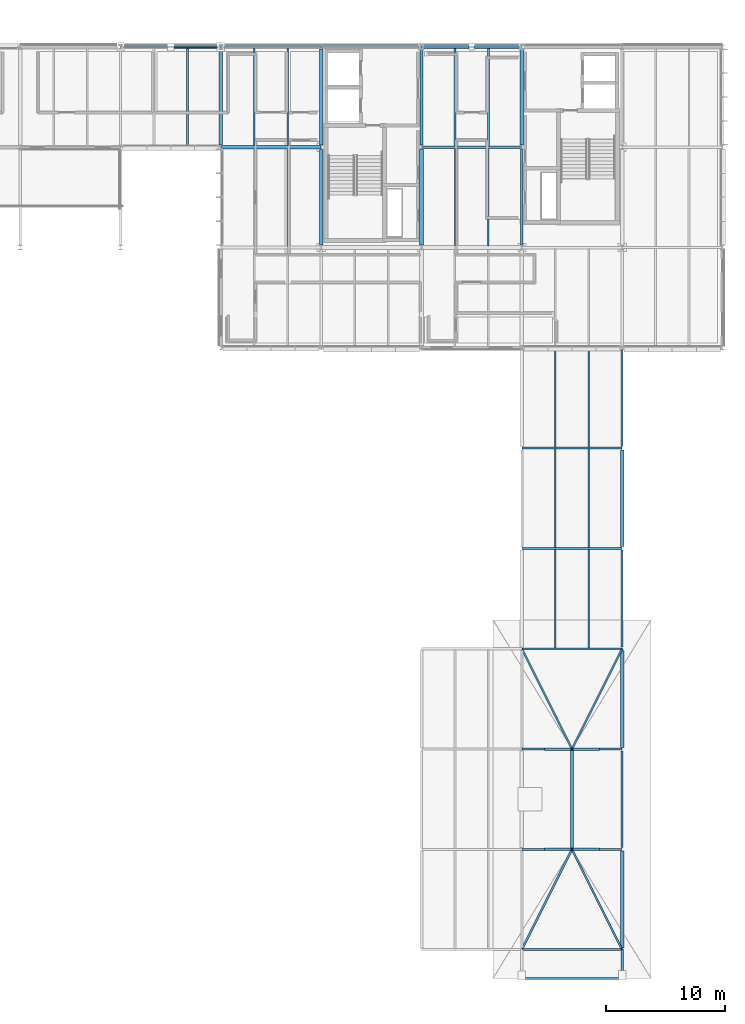
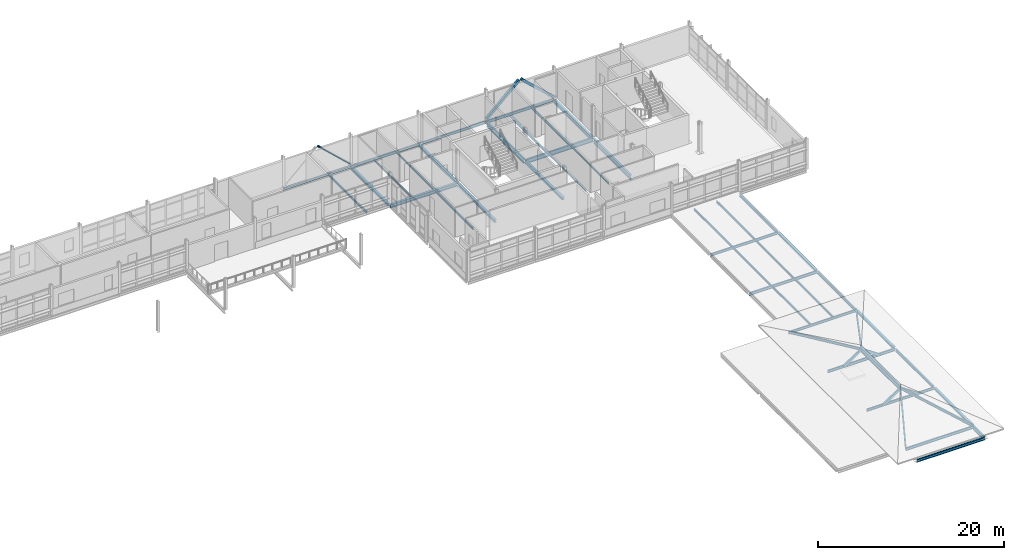
# One storey, part 34 of 57: 42 beams, 11 members.
"""IFC4 building model written with IfcOpenShell, lengths in metres."""

from ifc_helpers import new_model, si_unit, direction, frame, origin, origin_2d, place, context, subcontext, project, spatial, hollow_rectangle, hollow_circle, i_section, extrude, material, material_profile, profile_set, type_object, element, save


model = new_model("IFC4")

# Units and contexts
model_context = context("Model", 3, precision=1e-05, world=origin(), true_north=direction((0.0, 1.0)))
body_context = subcontext(model_context, "Body", "Model", "MODEL_VIEW")
ifc_project = project(units=[si_unit("LENGTHUNIT", "METRE"), si_unit("AREAUNIT", "SQUARE_METRE"), si_unit("VOLUMEUNIT", "CUBIC_METRE"), si_unit("PLANEANGLEUNIT", "RADIAN"), si_unit("MASSUNIT", "GRAM", prefix="KILO")], contexts=[model_context])

# Site, building, storey
site_placement = place(None, origin())
site = spatial("IfcSite", under=ifc_project, at=site_placement, CompositionType="ELEMENT")
building_placement = place(site_placement, origin())
building = spatial("IfcBuilding", under=site, at=building_placement, Name="Mersafa Astral City Hall", CompositionType="ELEMENT")
storey_placement = place(building_placement, frame((0.0, 0.0, 26.10009765625)))
storey = spatial("IfcBuildingStorey", under=building, at=storey_placement, Name="L06", CompositionType="ELEMENT", Elevation=26.10009765625)

# Beams
ifc_material = material(Name="Steel S355", Category="steel")
ifc_material_profile_1 = material_profile(ifc_material, i_section(OverallWidth=0.300048828125, OverallDepth=0.31005859375, WebThickness=0.009033203125, FlangeThickness=0.015380859375, FilletRadius=0.027099609375, at=origin_2d()), Name="HEA 320")
ifc_profile_set_1 = profile_set([ifc_material_profile_1], Name="Steel S355")
beam_type_1 = type_object("IfcBeamType", Name="STR-BM-HEA320", PredefinedType="BEAM", material=ifc_profile_set_1)
for number, where, z_axis, x_axis, name in (
    (1, (151.199951171875, 117.794921875, -0.330078125), (0.0, 1.0, 0.0), (-1.0, 0.0, 0.0), "L06 Primary girder Y 18-14"),
    (2, (159.60009765625, 109.39501953125, -0.330078125), (0.0, 1.0, 0.0), (-1.0, 0.0, 0.0), "L06 Primary girder Y 19-13"),
):
    element("IfcBeam", number, at=place(storey_placement, frame(where, z_axis=z_axis, x_axis=x_axis)), inside=storey, type_object=beam_type_1, Name=name, PredefinedType="BEAM", context=body_context, shape_type="SweptSolid", body=[
        extrude(i_section(OverallWidth=0.300048828125, OverallDepth=0.31005859375, WebThickness=0.009033203125, FlangeThickness=0.015380859375, FilletRadius=0.027099609375, at=origin_2d()), origin(), (0.0, 0.0, 1.0), 8.010009765625),
    ])
ifc_material_profile_2 = material_profile(ifc_material, i_section(OverallWidth=0.300048828125, OverallDepth=0.35009765625, WebThickness=0.010009765625, FlangeThickness=0.017578125, FilletRadius=0.027099609375, at=origin_2d()), Name="HEA 360")
ifc_profile_set_2 = profile_set([ifc_material_profile_2], Name="Steel S355")
beam_type_2 = type_object("IfcBeamType", Name="STR-BM-HEA360", PredefinedType="BEAM", material=ifc_profile_set_2)
for number, where, z_axis, x_axis, name in (
    (3, (142.800048828125, 117.794921875, -0.35009765625), (0.0, 1.0, 0.0), (-1.0, 0.0, 0.0), "L06 Primary girder Y 17-14"),
    (4, (151.199951171875, 109.39501953125, -0.35009765625), (0.0, 1.0, 0.0), (-1.0, 0.0, 0.0), "L06 Primary girder Y 18-13"),
):
    element("IfcBeam", number, at=place(storey_placement, frame(where, z_axis=z_axis, x_axis=x_axis)), inside=storey, type_object=beam_type_2, Name=name, PredefinedType="BEAM", context=body_context, shape_type="SweptSolid", body=[
        extrude(i_section(OverallWidth=0.300048828125, OverallDepth=0.35009765625, WebThickness=0.010009765625, FlangeThickness=0.017578125, FilletRadius=0.027099609375, at=origin_2d()), origin(), (0.0, 0.0, 1.0), 8.010009765625),
    ])
ifc_material_profile_3 = material_profile(ifc_material, i_section(OverallWidth=0.300048828125, OverallDepth=0.43994140625, WebThickness=0.011474609375, FlangeThickness=0.02099609375, FilletRadius=0.027099609375, at=origin_2d()), Name="HEA 450")
ifc_profile_set_3 = profile_set([ifc_material_profile_3], Name="Steel S355")
beam_type_3 = type_object("IfcBeamType", Name="STR-BM-HEA450", PredefinedType="BEAM", material=ifc_profile_set_3)
beam_1_placement = place(storey_placement, frame((142.802978515625, 117.60009765625, -0.39501953125), z_axis=(1.0, 0.0, 0.0), x_axis=(0.0, 1.0, 0.0)))
element("IfcBeam", 5, at=beam_1_placement, inside=storey, type_object=beam_type_3, Name="L06 Primary girder X 17-14", PredefinedType="BEAM", context=body_context, shape_type="SweptSolid", body=[
    extrude(i_section(OverallWidth=0.300048828125, OverallDepth=0.43994140625, WebThickness=0.011474609375, FlangeThickness=0.02099609375, FilletRadius=0.027099609375, at=origin_2d()), origin(), (0.0, 0.0, 1.0), 8.39404296875),
])
ifc_material_profile_4 = material_profile(ifc_material, i_section(OverallWidth=0.300048828125, OverallDepth=0.489990234375, WebThickness=0.011962890625, FlangeThickness=0.02294921875, FilletRadius=0.027099609375, at=origin_2d()), Name="HEA 500")
ifc_profile_set_4 = profile_set([ifc_material_profile_4], Name="Steel S355")
beam_type_4 = type_object("IfcBeamType", Name="STR-BM-HEA500", PredefinedType="BEAM", material=ifc_profile_set_4)
beam_2_placement = place(storey_placement, frame((168.0, 117.794921875, -0.420166015625), z_axis=(0.0, 1.0, 0.0), x_axis=(-1.0, 0.0, 0.0)))
element("IfcBeam", 6, at=beam_2_placement, inside=storey, type_object=beam_type_4, Name="L06 Primary girder Y 20-14", PredefinedType="BEAM", context=body_context, shape_type="SweptSolid", body=[
    extrude(i_section(OverallWidth=0.300048828125, OverallDepth=0.489990234375, WebThickness=0.011962890625, FlangeThickness=0.02294921875, FilletRadius=0.027099609375, at=origin_2d()), origin(), (0.0, 0.0, 1.0), 8.010009765625),
])
ifc_material_profile_5 = material_profile(ifc_material, i_section(OverallWidth=0.199951171875, OverallDepth=0.5, WebThickness=0.01025390625, FlangeThickness=0.01611328125, FilletRadius=0.02099609375, at=origin_2d()), Name="IPE 500")
ifc_profile_set_5 = profile_set([ifc_material_profile_5], Name="Steel S355")
beam_type_5 = type_object("IfcBeamType", Name="STR-BM-IPE500", PredefinedType="BEAM", material=ifc_profile_set_5)
beam_3_placement = place(storey_placement, frame((176.39990234375, 50.39990234375, -0.41015625), z_axis=(0.0, -1.0, 0.0), x_axis=(1.0, 0.0, 0.0)))
element("IfcBeam", 7, at=beam_3_placement, inside=storey, type_object=beam_type_5, Name="L06 Cantilevered eave beam ROOF-T4B-V5 S-21", PredefinedType="BEAM", context=body_context, shape_type="SweptSolid", body=[
    extrude(i_section(OverallWidth=0.199951171875, OverallDepth=0.5, WebThickness=0.01025390625, FlangeThickness=0.01611328125, FilletRadius=0.02099609375, at=origin_2d()), origin(), (0.0, 0.0, 1.0), 2.39990234375),
])
ifc_material_profile_6 = material_profile(ifc_material, i_section(OverallWidth=0.2099609375, OverallDepth=0.550048828125, WebThickness=0.010986328125, FlangeThickness=0.01708984375, FilletRadius=0.02392578125, at=origin_2d()), Name="IPE 550")
ifc_profile_set_6 = profile_set([ifc_material_profile_6], Name="Steel S355")
beam_type_6 = type_object("IfcBeamType", Name="STR-BM-IPE550", PredefinedType="BEAM", material=ifc_profile_set_6)
beam_4_placement = place(storey_placement, frame((159.60302734375, 117.60009765625, -0.4501953125), z_axis=(1.0, 0.0, 0.0), x_axis=(0.0, 1.0, 0.0)))
element("IfcBeam", 8, at=beam_4_placement, inside=storey, type_object=beam_type_6, Name="L06 Primary girder X 19-14", PredefinedType="BEAM", context=body_context, shape_type="SweptSolid", body=[
    extrude(i_section(OverallWidth=0.2099609375, OverallDepth=0.550048828125, WebThickness=0.010986328125, FlangeThickness=0.01708984375, FilletRadius=0.02392578125, at=origin_2d()), origin(), (0.0, 0.0, 1.0), 8.39404296875),
])
ifc_material_profile_7 = material_profile(ifc_material, i_section(OverallWidth=0.219970703125, OverallDepth=0.60009765625, WebThickness=0.011962890625, FlangeThickness=0.01904296875, FilletRadius=0.02392578125, at=origin_2d()), Name="IPE 600")
ifc_profile_set_7 = profile_set([ifc_material_profile_7], Name="Steel S355")
beam_type_7 = type_object("IfcBeamType", Name="STR-BM-IPE600", PredefinedType="BEAM", material=ifc_profile_set_7)
for number, where, z_axis, x_axis, name in (
    (9, (159.60009765625, 117.794921875, -0.47509765625), (0.0, 1.0, 0.0), (-1.0, 0.0, 0.0), "L06 Primary girder Y 19-14"),
    (10, (168.0, 109.39501953125, -0.47509765625), (0.0, 1.0, 0.0), (-1.0, 0.0, 0.0), "L06 Primary girder Y 20-13"),
):
    element("IfcBeam", number, at=place(storey_placement, frame(where, z_axis=z_axis, x_axis=x_axis)), inside=storey, type_object=beam_type_7, Name=name, PredefinedType="BEAM", context=body_context, shape_type="SweptSolid", body=[
        extrude(i_section(OverallWidth=0.219970703125, OverallDepth=0.60009765625, WebThickness=0.011962890625, FlangeThickness=0.01904296875, FilletRadius=0.02392578125, at=origin_2d()), origin(), (0.0, 0.0, 1.0), 8.010009765625),
    ])
beam_5_placement = place(storey_placement, frame((172.199951171875, 58.800048828125, 1.114501953125), z_axis=(0.0, 1.0, 0.0), x_axis=(-1.0, 0.0, 0.0)))
element("IfcBeam", 11, at=beam_5_placement, inside=storey, type_object=beam_type_7, Name="L06 Hipped roof ridge beam ROOF-T4B-V5-1", PredefinedType="BEAM", context=body_context, shape_type="SweptSolid", body=[
    extrude(i_section(OverallWidth=0.219970703125, OverallDepth=0.60009765625, WebThickness=0.011962890625, FlangeThickness=0.01904296875, FilletRadius=0.02392578125, at=origin_2d()), origin(), (0.0, 0.0, 1.0), 8.39990234375),
])
ifc_material_profile_8 = material_profile(ifc_material, i_section(OverallWidth=0.110107421875, OverallDepth=0.219970703125, WebThickness=0.005859375, FlangeThickness=0.00927734375, FilletRadius=0.011962890625, at=origin_2d()), Name="IPE 220")
ifc_profile_set_8 = profile_set([ifc_material_profile_8], Name="Steel S355")
beam_type_8 = type_object("IfcBeamType", Name="STR-BM-JOIST-IPE220", PredefinedType="JOIST", material=ifc_profile_set_8)
for number, where, z_axis, x_axis, name in (
    (12, (162.39990234375, 109.344970703125, -0.28515625), (0.0, 1.0, 0.0), (-1.0, 0.0, 0.0), "L06 Composite secondary floor joist 876"),
    (13, (165.199951171875, 109.344970703125, -0.28515625), (0.0, 1.0, 0.0), (-1.0, 0.0, 0.0), "L06 Composite secondary floor joist 877"),
):
    element("IfcBeam", number, at=place(storey_placement, frame(where, z_axis=z_axis, x_axis=x_axis)), inside=storey, type_object=beam_type_8, Name=name, PredefinedType="JOIST", context=body_context, shape_type="SweptSolid", body=[
        extrude(i_section(OverallWidth=0.110107421875, OverallDepth=0.219970703125, WebThickness=0.005859375, FlangeThickness=0.00927734375, FilletRadius=0.011962890625, at=origin_2d()), origin(), (0.0, 0.0, 1.0), 8.155029296875),
    ])
ifc_material_profile_9 = material_profile(ifc_material, i_section(OverallWidth=0.1201171875, OverallDepth=0.239990234375, WebThickness=0.006103515625, FlangeThickness=0.009765625, FilletRadius=0.014892578125, at=origin_2d()), Name="IPE 240")
ifc_profile_set_9 = profile_set([ifc_material_profile_9], Name="Steel S355")
beam_type_9 = type_object("IfcBeamType", Name="STR-BM-JOIST-IPE240", PredefinedType="JOIST", material=ifc_profile_set_9)
for number, where, z_axis, x_axis, name in (
    (14, (145.60009765625, 117.7451171875, -0.295166015625), (0.0, 1.0, 0.0), (-1.0, 0.0, 0.0), "L06 Composite secondary floor joist 870"),
    (15, (148.39990234375, 117.7451171875, -0.295166015625), (0.0, 1.0, 0.0), (-1.0, 0.0, 0.0), "L06 Composite secondary floor joist 871"),
):
    element("IfcBeam", number, at=place(storey_placement, frame(where, z_axis=z_axis, x_axis=x_axis)), inside=storey, type_object=beam_type_9, Name=name, PredefinedType="JOIST", context=body_context, shape_type="SweptSolid", body=[
        extrude(i_section(OverallWidth=0.1201171875, OverallDepth=0.239990234375, WebThickness=0.006103515625, FlangeThickness=0.009765625, FilletRadius=0.014892578125, at=origin_2d()), origin(), (0.0, 0.0, 1.0), 8.1748046875),
    ])
ifc_material_profile_10 = material_profile(ifc_material, i_section(OverallWidth=0.135009765625, OverallDepth=0.27001953125, WebThickness=0.006591796875, FlangeThickness=0.01025390625, FilletRadius=0.014892578125, at=origin_2d()), Name="IPE 270")
ifc_profile_set_10 = profile_set([ifc_material_profile_10], Name="Steel S355")
beam_type_10 = type_object("IfcBeamType", Name="STR-BM-JOIST-IPE270", PredefinedType="JOIST", material=ifc_profile_set_10)
beam_6_placement = place(storey_placement, frame((140.0, 117.679931640625, -0.31005859375), z_axis=(0.0, 1.0, 0.0), x_axis=(-1.0, 0.0, 0.0)))
element("IfcBeam", 16, at=beam_6_placement, inside=storey, type_object=beam_type_10, Name="L06 Composite secondary floor joist 865", PredefinedType="JOIST", context=body_context, shape_type="SweptSolid", body=[
    extrude(i_section(OverallWidth=0.135009765625, OverallDepth=0.27001953125, WebThickness=0.006591796875, FlangeThickness=0.01025390625, FilletRadius=0.014892578125, at=origin_2d()), origin(), (0.0, 0.0, 1.0), 8.2451171875),
])
beam_7_placement = place(storey_placement, frame((148.39990234375, 109.304931640625, -0.31005859375), z_axis=(0.0, 1.0, 0.0), x_axis=(-1.0, 0.0, 0.0)))
element("IfcBeam", 17, at=beam_7_placement, inside=storey, type_object=beam_type_10, Name="L06 Composite secondary floor joist 869", PredefinedType="JOIST", context=body_context, shape_type="SweptSolid", body=[
    extrude(i_section(OverallWidth=0.135009765625, OverallDepth=0.27001953125, WebThickness=0.006591796875, FlangeThickness=0.01025390625, FilletRadius=0.014892578125, at=origin_2d()), origin(), (0.0, 0.0, 1.0), 8.150146484375),
])
for number, where, z_axis, x_axis, name in (
    (18, (170.800048828125, 75.675048828125, -0.335205078125), (0.0, 1.0, 0.0), (-1.0, 0.0, 0.0), "L06 Flat roof secondary joist 7"),
    (19, (173.60009765625, 75.675048828125, -0.335205078125), (0.0, 1.0, 0.0), (-1.0, 0.0, 0.0), "L06 Flat roof secondary joist 8"),
    (20, (170.800048828125, 84.080078125, -0.335205078125), (0.0, 1.0, 0.0), (-1.0, 0.0, 0.0), "L06 Flat roof secondary joist 9"),
    (21, (173.60009765625, 84.080078125, -0.335205078125), (0.0, 1.0, 0.0), (-1.0, 0.0, 0.0), "L06 Flat roof secondary joist 10"),
    (22, (170.800048828125, 92.47509765625, -0.335205078125), (0.0, 1.0, 0.0), (-1.0, 0.0, 0.0), "L06 Flat roof secondary joist 11"),
    (23, (173.60009765625, 92.47509765625, -0.335205078125), (0.0, 1.0, 0.0), (-1.0, 0.0, 0.0), "L06 Flat roof secondary joist 12"),
):
    element("IfcBeam", number, at=place(storey_placement, frame(where, z_axis=z_axis, x_axis=x_axis)), inside=storey, type_object=beam_type_10, Name=name, PredefinedType="JOIST", context=body_context, shape_type="SweptSolid", body=[
        extrude(i_section(OverallWidth=0.135009765625, OverallDepth=0.27001953125, WebThickness=0.006591796875, FlangeThickness=0.01025390625, FilletRadius=0.014892578125, at=origin_2d()), origin(), (0.0, 0.0, 1.0), 8.244873046875),
    ])
ifc_material_profile_11 = material_profile(ifc_material, i_section(OverallWidth=0.14990234375, OverallDepth=0.300048828125, WebThickness=0.007080078125, FlangeThickness=0.0107421875, FilletRadius=0.014892578125, at=origin_2d()), Name="IPE 300")
ifc_profile_set_11 = profile_set([ifc_material_profile_11], Name="Steel S355")
beam_type_11 = type_object("IfcBeamType", Name="STR-BM-JOIST-IPE300", PredefinedType="JOIST", material=ifc_profile_set_11)
for number, where, z_axis, x_axis, name in (
    (24, (162.39990234375, 117.699951171875, -0.3251953125), (0.0, 1.0, 0.0), (-1.0, 0.0, 0.0), "L06 Composite secondary floor joist 878"),
    (25, (165.199951171875, 117.699951171875, -0.3251953125), (0.0, 1.0, 0.0), (-1.0, 0.0, 0.0), "L06 Composite secondary floor joist 879"),
):
    element("IfcBeam", number, at=place(storey_placement, frame(where, z_axis=z_axis, x_axis=x_axis)), inside=storey, type_object=beam_type_11, Name=name, PredefinedType="JOIST", context=body_context, shape_type="SweptSolid", body=[
        extrude(i_section(OverallWidth=0.14990234375, OverallDepth=0.300048828125, WebThickness=0.007080078125, FlangeThickness=0.0107421875, FilletRadius=0.014892578125, at=origin_2d()), origin(), (0.0, 0.0, 1.0), 8.219970703125),
    ])
ifc_material_profile_12 = material_profile(ifc_material, i_section(OverallWidth=0.280029296875, OverallDepth=0.27001953125, WebThickness=0.008056640625, FlangeThickness=0.012939453125, FilletRadius=0.02392578125, at=origin_2d()), Name="HEA 280")
ifc_profile_set_12 = profile_set([ifc_material_profile_12], Name="Steel S355")
beam_type_12 = type_object("IfcBeamType", Name="STR-BM-SPANDREL-HEA280", PredefinedType="SPANDREL", material=ifc_profile_set_12)
for number, where, z_axis, x_axis, name in (
    (26, (176.39990234375, 50.544921875, -0.31005859375), (0.0, 1.0, 0.0), (-1.0, 0.0, 0.0), "L06 Primary girder Y 21-6"),
    (27, (176.39990234375, 67.344970703125, -0.31005859375), (0.0, 1.0, 0.0), (-1.0, 0.0, 0.0), "L06 Primary girder Y 21-8"),
):
    element("IfcBeam", number, at=place(storey_placement, frame(where, z_axis=z_axis, x_axis=x_axis)), inside=storey, type_object=beam_type_12, Name=name, PredefinedType="SPANDREL", context=body_context, shape_type="SweptSolid", body=[
        extrude(i_section(OverallWidth=0.280029296875, OverallDepth=0.27001953125, WebThickness=0.008056640625, FlangeThickness=0.012939453125, FilletRadius=0.02392578125, at=origin_2d()), origin(), (0.0, 0.0, 1.0), 8.110107421875),
    ])
beam_8_placement = place(storey_placement, frame((176.39990234375, 84.14501953125, -0.335205078125), z_axis=(0.0, 1.0, 0.0), x_axis=(-1.0, 0.0, 0.0)))
element("IfcBeam", 28, at=beam_8_placement, inside=storey, type_object=beam_type_12, Name="L06 Primary girder Y 21-10", PredefinedType="SPANDREL", context=body_context, shape_type="SweptSolid", body=[
    extrude(i_section(OverallWidth=0.280029296875, OverallDepth=0.27001953125, WebThickness=0.008056640625, FlangeThickness=0.012939453125, FilletRadius=0.02392578125, at=origin_2d()), origin(), (0.0, 0.0, 1.0), 8.10986328125),
])
ifc_material_profile_13 = material_profile(ifc_material, i_section(OverallWidth=0.159912109375, OverallDepth=0.330078125, WebThickness=0.007568359375, FlangeThickness=0.011474609375, FilletRadius=0.01806640625, at=origin_2d()), Name="IPE 330")
ifc_profile_set_13 = profile_set([ifc_material_profile_13], Name="Steel S355")
beam_type_13 = type_object("IfcBeamType", Name="STR-BM-SPANDREL-IPE330", PredefinedType="SPANDREL", material=ifc_profile_set_13)
for number, where, z_axis, x_axis, name in (
    (29, (168.0029296875, 58.800048828125, -0.340087890625), (1.0, 0.0, 0.0), (0.0, 1.0, 0.0), "L06 Primary girder X 20-7"),
    (30, (168.0029296875, 75.60009765625, -0.364990234375), (1.0, 0.0, 0.0), (0.0, 1.0, 0.0), "L06 Primary girder X 20-9"),
    (31, (168.0029296875, 92.39990234375, -0.364990234375), (1.0, 0.0, 0.0), (0.0, 1.0, 0.0), "L06 Primary girder X 20-11"),
    (32, (134.403076171875, 126.0, -0.340087890625), (1.0, 0.0, 0.0), (0.0, 1.0, 0.0), "L06 Primary girder X 16-15"),
    (33, (151.202880859375, 126.0, -0.340087890625), (1.0, 0.0, 0.0), (0.0, 1.0, 0.0), "L06 Primary girder X 18-15"),
):
    element("IfcBeam", number, at=place(storey_placement, frame(where, z_axis=z_axis, x_axis=x_axis)), inside=storey, type_object=beam_type_13, Name=name, PredefinedType="SPANDREL", context=body_context, shape_type="SweptSolid", body=[
        extrude(i_section(OverallWidth=0.159912109375, OverallDepth=0.330078125, WebThickness=0.007568359375, FlangeThickness=0.011474609375, FilletRadius=0.01806640625, at=origin_2d()), origin(), (0.0, 0.0, 1.0), 8.39404296875),
    ])
ifc_material_profile_14 = material_profile(ifc_material, i_section(OverallWidth=0.169921875, OverallDepth=0.360107421875, WebThickness=0.008056640625, FlangeThickness=0.0126953125, FilletRadius=0.01806640625, at=origin_2d()), Name="IPE 360")
ifc_profile_set_14 = profile_set([ifc_material_profile_14], Name="Steel S355")
beam_type_14 = type_object("IfcBeamType", Name="STR-BM-SPANDREL-IPE360", PredefinedType="SPANDREL", material=ifc_profile_set_14)
for number, where, z_axis, x_axis, name in (
    (34, (168.0029296875, 50.39990234375, -0.35498046875), (1.0, 0.0, 0.0), (0.0, 1.0, 0.0), "L06 Primary girder X 20-6"),
    (35, (168.0029296875, 67.199951171875, -0.35498046875), (1.0, 0.0, 0.0), (0.0, 1.0, 0.0), "L06 Primary girder X 20-8"),
    (36, (168.0029296875, 84.0, -0.380126953125), (1.0, 0.0, 0.0), (0.0, 1.0, 0.0), "L06 Primary girder X 20-10"),
    (37, (142.802978515625, 126.0, -0.35498046875), (1.0, 0.0, 0.0), (0.0, 1.0, 0.0), "L06 Primary girder X 17-15"),
    (38, (159.60302734375, 126.0, -0.35498046875), (1.0, 0.0, 0.0), (0.0, 1.0, 0.0), "L06 Primary girder X 19-15"),
):
    element("IfcBeam", number, at=place(storey_placement, frame(where, z_axis=z_axis, x_axis=x_axis)), inside=storey, type_object=beam_type_14, Name=name, PredefinedType="SPANDREL", context=body_context, shape_type="SweptSolid", body=[
        extrude(i_section(OverallWidth=0.169921875, OverallDepth=0.360107421875, WebThickness=0.008056640625, FlangeThickness=0.0126953125, FilletRadius=0.01806640625, at=origin_2d()), origin(), (0.0, 0.0, 1.0), 8.39404296875),
    ])
for number, where, z_axis, x_axis, name in (
    (39, (176.39990234375, 58.945068359375, -0.35498046875), (0.0, 1.0, 0.0), (-1.0, 0.0, 0.0), "L06 Primary girder Y 21-7"),
    (40, (176.39990234375, 75.7451171875, -0.380126953125), (0.0, 1.0, 0.0), (-1.0, 0.0, 0.0), "L06 Primary girder Y 21-9"),
):
    element("IfcBeam", number, at=place(storey_placement, frame(where, z_axis=z_axis, x_axis=x_axis)), inside=storey, type_object=beam_type_14, Name=name, PredefinedType="SPANDREL", context=body_context, shape_type="SweptSolid", body=[
        extrude(i_section(OverallWidth=0.169921875, OverallDepth=0.360107421875, WebThickness=0.008056640625, FlangeThickness=0.0126953125, FilletRadius=0.01806640625, at=origin_2d()), origin(), (0.0, 0.0, 1.0), 8.10986328125),
    ])
beam_9_placement = place(storey_placement, frame((176.39990234375, 92.544921875, -0.380126953125), z_axis=(0.0, 1.0, 0.0), x_axis=(-1.0, 0.0, 0.0)))
element("IfcBeam", 41, at=beam_9_placement, inside=storey, type_object=beam_type_14, Name="L06 Primary girder Y 21-11", PredefinedType="SPANDREL", context=body_context, shape_type="SweptSolid", body=[
    extrude(i_section(OverallWidth=0.169921875, OverallDepth=0.360107421875, WebThickness=0.008056640625, FlangeThickness=0.0126953125, FilletRadius=0.01806640625, at=origin_2d()), origin(), (0.0, 0.0, 1.0), 8.090087890625),
])
beam_10_placement = place(storey_placement, frame((168.0, 48.0, -0.41015625), z_axis=(1.0, 0.0, 0.0), x_axis=(0.0, 1.0, 0.0)))
element("IfcBeam", 42, at=beam_10_placement, inside=storey, type_object=beam_type_14, Name="L06 Hipped roof eave fascia beam ROOF-T4B-V5 S-1", PredefinedType="SPANDREL", context=body_context, shape_type="SweptSolid", body=[
    extrude(i_section(OverallWidth=0.169921875, OverallDepth=0.360107421875, WebThickness=0.008056640625, FlangeThickness=0.0126953125, FilletRadius=0.01806640625, at=origin_2d()), origin(), (0.0, 0.0, 1.0), 8.39990234375),
])

# Members
ifc_material_profile_15 = material_profile(ifc_material, hollow_circle(Radius=0.122314453125, WallThickness=0.012451171875, at=origin_2d()), Name="CHS 244.5x12.5")
ifc_profile_set_15 = profile_set([ifc_material_profile_15], Name="Steel S355")
member_type_1 = type_object("IfcMemberType", Name="STR-MBR-BRACE-CHS245", PredefinedType="BRACE", material=ifc_profile_set_15)
member_1_placement = place(storey_placement, frame((142.802001953125, 126.0, 0.02001953125), z_axis=(-0.73162091968, 0.0, 0.681711691177), x_axis=(0.0, -1.0, 0.0)))
element("IfcMember", 43, at=member_1_placement, inside=storey, type_object=member_type_1, Name="L06 Chevron lateral brace 20B", PredefinedType="BRACE", context=body_context, shape_type="SweptSolid", body=[
    extrude(hollow_circle(Radius=0.122314453125, WallThickness=0.012451171875, at=origin_2d()), origin(), (0.0, 0.0, 1.0), 5.552001953125),
])
ifc_material_profile_16 = material_profile(ifc_material, i_section(OverallWidth=0.159912109375, OverallDepth=0.330078125, WebThickness=0.007568359375, FlangeThickness=0.011474609375, FilletRadius=0.01806640625, at=origin_2d()), Name="IPE 330")
ifc_profile_set_16 = profile_set([ifc_material_profile_16], Name="Steel S355")
member_type_2 = type_object("IfcMemberType", Name="STR-MBR-RAFTER-IPE330", PredefinedType="RAFTER", material=ifc_profile_set_16)
for number, where, z_axis, x_axis, name in (
    (44, (168.0, 50.39990234375, -0.25), (0.442556605498, 0.885138936544, 0.143780088829), (-0.89443239007, 0.447203197209, 0.0), "L06 Hipped roof corner hip rafter ROOF-T4B-V5-1"),
    (45, (176.39990234375, 50.39990234375, -0.25), (-0.442556605498, 0.885138936544, 0.143780088829), (-0.89443239007, -0.447203197209, 0.0), "L06 Hipped roof corner hip rafter ROOF-T4B-V5-2"),
    (46, (176.39990234375, 75.60009765625, -0.25), (-0.442556605498, -0.885138936544, 0.143780088829), (0.89443239007, -0.447203197209, 0.0), "L06 Hipped roof corner hip rafter ROOF-T4B-V5-3"),
    (47, (168.0, 75.60009765625, -0.25), (0.442556605498, -0.885138936544, 0.143780088829), (0.89443239007, 0.447203197209, 0.0), "L06 Hipped roof corner hip rafter ROOF-T4B-V5-4"),
):
    element("IfcMember", number, at=place(storey_placement, frame(where, z_axis=z_axis, x_axis=x_axis)), inside=storey, type_object=member_type_2, Name=name, PredefinedType="RAFTER", context=body_context, shape_type="SweptSolid", body=[
        extrude(i_section(OverallWidth=0.159912109375, OverallDepth=0.330078125, WebThickness=0.007568359375, FlangeThickness=0.011474609375, FilletRadius=0.01806640625, at=origin_2d()), origin(), (0.0, 0.0, 1.0), 9.490234375),
    ])
ifc_material_profile_17 = material_profile(ifc_material, hollow_rectangle(XDim=0.199951171875, YDim=0.300048828125, WallThickness=0.012451171875, at=origin_2d()), Name="RHS 200x300x12.5")
ifc_profile_set_17 = profile_set([ifc_material_profile_17], Name="Steel S355")
member_type_3 = type_object("IfcMemberType", Name="STR-MBR-STRUT-RHS200X300", PredefinedType="BRACE", material=ifc_profile_set_17)
member_2_placement = place(storey_placement, frame((169.9658203125, 58.800048828125, -0.420166015625), z_axis=(0.824265252692, 0.0, 0.566203844216), x_axis=(0.0, 1.0, 0.0)))
element("IfcMember", 48, at=member_2_placement, inside=storey, type_object=member_type_3, Name="L06 Roof ridge raked A-strut ROOF-T4B-V5-1A", PredefinedType="BRACE", context=body_context, shape_type="SweptSolid", body=[
    extrude(hollow_rectangle(XDim=0.199951171875, YDim=0.300048828125, WallThickness=0.012451171875, at=origin_2d()), origin(), (0.0, 0.0, 1.0), 2.71044921875),
])
member_3_placement = place(storey_placement, frame((174.434326171875, 58.800048828125, -0.420166015625), z_axis=(-0.824294125944, 0.0, 0.566161808969), x_axis=(0.0, -1.0, 0.0)))
element("IfcMember", 49, at=member_3_placement, inside=storey, type_object=member_type_3, Name="L06 Roof ridge raked A-strut ROOF-T4B-V5-1B", PredefinedType="BRACE", context=body_context, shape_type="SweptSolid", body=[
    extrude(hollow_rectangle(XDim=0.199951171875, YDim=0.300048828125, WallThickness=0.012451171875, at=origin_2d()), origin(), (0.0, 0.0, 1.0), 2.710693359375),
])
member_4_placement = place(storey_placement, frame((169.9658203125, 67.199951171875, -0.420166015625), z_axis=(0.824265252692, 0.0, 0.566203844216), x_axis=(0.0, 1.0, 0.0)))
element("IfcMember", 50, at=member_4_placement, inside=storey, type_object=member_type_3, Name="L06 Roof ridge raked A-strut ROOF-T4B-V5-2A", PredefinedType="BRACE", context=body_context, shape_type="SweptSolid", body=[
    extrude(hollow_rectangle(XDim=0.199951171875, YDim=0.300048828125, WallThickness=0.012451171875, at=origin_2d()), origin(), (0.0, 0.0, 1.0), 2.71044921875),
])
member_5_placement = place(storey_placement, frame((174.434326171875, 67.199951171875, -0.420166015625), z_axis=(-0.824294125944, 0.0, 0.566161808969), x_axis=(0.0, -1.0, 0.0)))
element("IfcMember", 51, at=member_5_placement, inside=storey, type_object=member_type_3, Name="L06 Roof ridge raked A-strut ROOF-T4B-V5-2B", PredefinedType="BRACE", context=body_context, shape_type="SweptSolid", body=[
    extrude(hollow_rectangle(XDim=0.199951171875, YDim=0.300048828125, WallThickness=0.012451171875, at=origin_2d()), origin(), (0.0, 0.0, 1.0), 2.710693359375),
])
ifc_material_profile_18 = material_profile(ifc_material, hollow_rectangle(XDim=0.300048828125, YDim=0.300048828125, WallThickness=0.01611328125, at=origin_2d()), Name="RHS 300x300x16")
ifc_profile_set_18 = profile_set([ifc_material_profile_18], Name="Steel S355")
member_type_4 = type_object("IfcMemberType", Name="STR-MBR-STRUT-RHS300", PredefinedType="BRACE", material=ifc_profile_set_18)
for number, where, z_axis, x_axis, name in (
    (52, (159.597900390625, 126.0, 0.02001953125), (0.734322707437, 0.0, 0.678800531337), (0.0, 1.0, 0.0), "L06 Chevron lateral brace 29A"),
    (53, (168.001953125, 126.0, 0.02001953125), (-0.734322707437, 0.0, 0.678800531337), (0.0, -1.0, 0.0), "L06 Chevron lateral brace 29B"),
):
    element("IfcMember", number, at=place(storey_placement, frame(where, z_axis=z_axis, x_axis=x_axis)), inside=storey, type_object=member_type_4, Name=name, PredefinedType="BRACE", context=body_context, shape_type="SweptSolid", body=[
        extrude(hollow_rectangle(XDim=0.300048828125, YDim=0.300048828125, WallThickness=0.01611328125, at=origin_2d()), origin(), (0.0, 0.0, 1.0), 5.53173828125),
    ])

save(model, "model.ifc")
